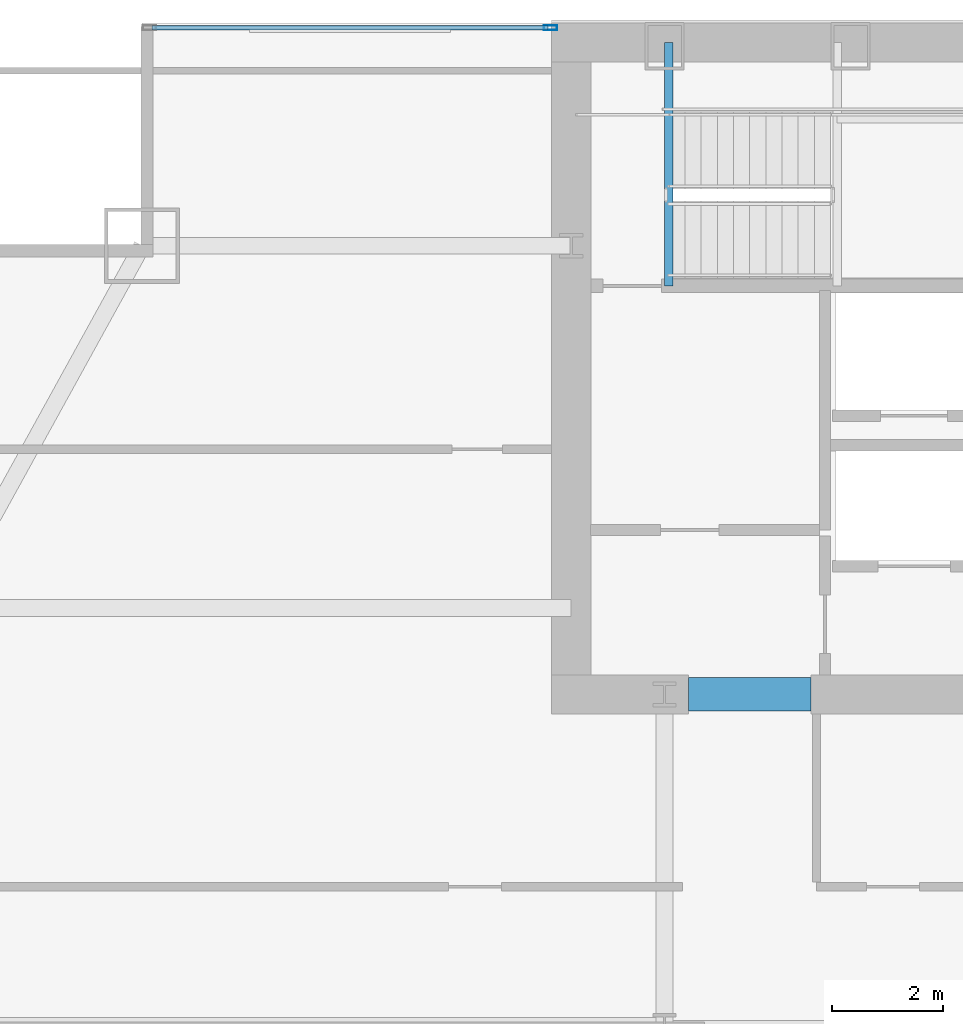
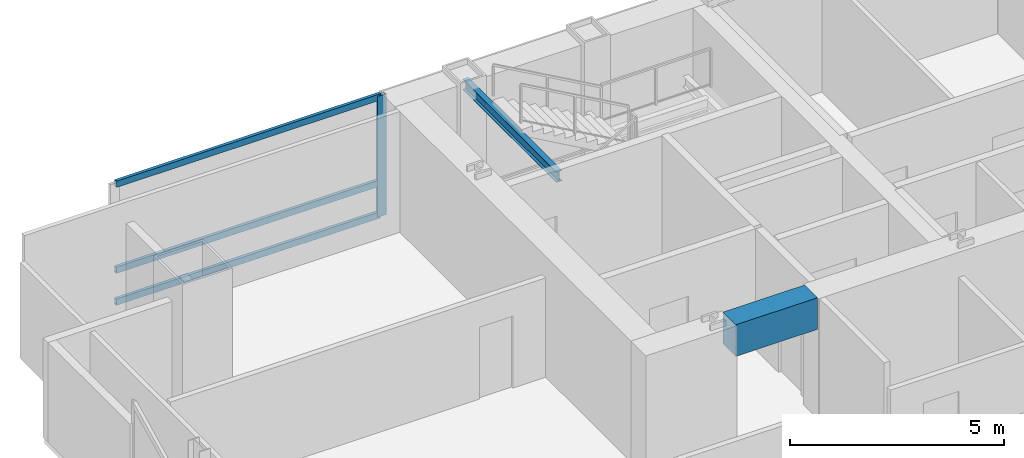
# One storey, part 18 of 29: 4 members, 2 beams, 1 element without a shape of its own.
"""IFC4 building model written with IfcOpenShell, lengths in metres."""

from ifc_helpers import new_model, si_unit, direction, frame, origin, origin_2d, place, context, subcontext, project, spatial, rectangle, hollow_rectangle, i_section, extrude, material, material_profile, profile_set, type_object, element, aggregate, save


model = new_model("IFC4")

# Units and contexts
model_context = context("Model", 3, precision=1e-05, world=origin(), true_north=direction((0.0, 1.0)))
body_context = subcontext(model_context, "Body", "Model", "MODEL_VIEW")
ifc_project = project(units=[si_unit("LENGTHUNIT", "METRE"), si_unit("AREAUNIT", "SQUARE_METRE"), si_unit("VOLUMEUNIT", "CUBIC_METRE"), si_unit("PLANEANGLEUNIT", "RADIAN"), si_unit("MASSUNIT", "GRAM", prefix="KILO")], contexts=[model_context])

# Site, building, storey
site_placement = place(None, origin())
site = spatial("IfcSite", under=ifc_project, at=site_placement, CompositionType="ELEMENT")
building_placement = place(site_placement, origin())
building = spatial("IfcBuilding", under=site, at=building_placement, Name="Khoronbel Lancet Exchange", CompositionType="ELEMENT")
storey_placement = place(building_placement, frame((0.0, 0.0, 161.39990234375)))
storey = spatial("IfcBuildingStorey", under=building, at=storey_placement, Name="L40", CompositionType="ELEMENT", Elevation=161.39990234375)

# Beams
ifc_material_1 = material(Name="Steel S355", Category="steel")
ifc_material_profile_1 = material_profile(ifc_material_1, i_section(OverallWidth=0.14990234375, OverallDepth=0.300048828125, WebThickness=0.007080078125, FlangeThickness=0.0107421875, at=origin_2d()), Name="IPE 300")
ifc_profile_set_1 = profile_set([ifc_material_profile_1], Name="Steel S355")
beam_type_1 = type_object("IfcBeamType", Name="BM-BJ8", PredefinedType="JOIST", material=ifc_profile_set_1)
beam_1_placement = place(storey_placement, frame((18.300048828125, 48.97998046875, 3.16015625), z_axis=(0.0, 1.0, 0.0), x_axis=(-1.0, 0.0, 0.0)))
element("IfcBeam", 1, at=beam_1_placement, inside=storey, type_object=beam_type_1, Name="Level L40 stair ST1 upper-flight arrival trimmer beam", PredefinedType="JOIST", context=body_context, shape_type="SweptSolid", body=[
    extrude(i_section(OverallWidth=0.14990234375, OverallDepth=0.300048828125, WebThickness=0.007080078125, FlangeThickness=0.0107421875, at=origin_2d()), origin(), (0.0, 0.0, 1.0), 4.3701171875),
])
ifc_material_2 = material(Name="Concrete C80/95", Category="concrete")
ifc_material_profile_2 = material_profile(ifc_material_2, rectangle(XDim=0.60009765625, YDim=0.89990234375, at=origin_2d()), Name="RC 600x900")
ifc_profile_set_2 = profile_set([ifc_material_profile_2], Name="Concrete C80/95")
beam_type_2 = type_object("IfcBeamType", Name="BM-BL1", PredefinedType="LINTEL", material=ifc_profile_set_2)
beam_2_placement = place(storey_placement, frame((18.64990234375, 41.64990234375, 2.989990234375), z_axis=(1.0, 0.0, 0.0), x_axis=(0.0, 1.0, 0.0)))
element("IfcBeam", 2, at=beam_2_placement, inside=storey, type_object=beam_type_2, Name="Level L40 rear core coupling lintel L1", PredefinedType="LINTEL", context=body_context, shape_type="SweptSolid", body=[
    extrude(rectangle(XDim=0.60009765625, YDim=0.89990234375, at=origin_2d()), origin(), (0.0, 0.0, 1.0), 2.2001953125),
])

# Curtain wall, members
ifc_material_3 = material(Name="Low-E Solar Control Insulating Glass", Category="glass")
curtain_wall_type = type_object("IfcCurtainWallType", Name="CW-3", PredefinedType="NOTDEFINED", material=ifc_material_3)
curtain_wall_placement = place(storey_placement, origin())
curtain_wall = element("IfcCurtainWall", 3, at=curtain_wall_placement, inside=storey, type_object=curtain_wall_type, Name="Unitised curtain wall CW-L40-NWFLK", PredefinedType="NOTDEFINED")
ifc_material_4 = material(Name="Bronze-Anodised Aluminium 6063-T6", Category="aluminium")
ifc_material_profile_3 = material_profile(ifc_material_4, hollow_rectangle(XDim=0.0849609375, YDim=0.239990234375, WallThickness=0.006103515625, at=origin_2d()), Name="ALU MULLION 85x240")
ifc_profile_set_3 = profile_set([ifc_material_profile_3], Name="Bronze-Anodised Aluminium 6063-T6")
member_type_1 = type_object("IfcMemberType", Name="MEM-CWM1", PredefinedType="MULLION", material=ifc_profile_set_3)
member_1_placement = place(storey_placement, frame((16.177490234375, 53.610107421875, 0.0), z_axis=(0.0, 0.0, 1.0), x_axis=(0.0, -1.0, 0.0)))
member_1 = element("IfcMember", 4, at=member_1_placement, type_object=member_type_1, Name="CW3 mullion 1", PredefinedType="MULLION", context=body_context, shape_type="SweptSolid", body=[
    extrude(hollow_rectangle(XDim=0.0849609375, YDim=0.239990234375, WallThickness=0.006103515625, at=origin_2d()), origin(), (0.0, 0.0, 1.0), 3.440185546875),
])
ifc_material_profile_4 = material_profile(ifc_material_4, hollow_rectangle(XDim=0.0849609375, YDim=0.179931640625, WallThickness=0.0048828125, at=origin_2d()), Name="ALU TRANSOM 85x180")
ifc_profile_set_4 = profile_set([ifc_material_profile_4], Name="Bronze-Anodised Aluminium 6063-T6")
member_type_2 = type_object("IfcMemberType", Name="MEM-CWT1", PredefinedType="USERDEFINED", material=ifc_profile_set_4)
member_2_placement = place(storey_placement, frame((16.135009765625, 53.610107421875, 0.04248046875), z_axis=(-1.0, 0.0, 0.0), x_axis=(0.0, -1.0, 0.0)))
member_2 = element("IfcMember", 5, at=member_2_placement, type_object=member_type_2, Name="CW3 transom 1.1", ObjectType="TRANSOM", PredefinedType="USERDEFINED", context=body_context, shape_type="SweptSolid", body=[
    extrude(hollow_rectangle(XDim=0.0849609375, YDim=0.179931640625, WallThickness=0.0048828125, at=origin_2d()), origin(), (0.0, 0.0, 1.0), 7.110107421875),
])
member_3_placement = place(storey_placement, frame((16.135009765625, 53.610107421875, 0.9501953125), z_axis=(-1.0, 0.0, 0.0), x_axis=(0.0, -1.0, 0.0)))
member_3 = element("IfcMember", 6, at=member_3_placement, type_object=member_type_2, Name="CW3 transom 1.2", ObjectType="TRANSOM", PredefinedType="USERDEFINED", context=body_context, shape_type="SweptSolid", body=[
    extrude(hollow_rectangle(XDim=0.0849609375, YDim=0.179931640625, WallThickness=0.0048828125, at=origin_2d()), origin(), (0.0, 0.0, 1.0), 7.110107421875),
])
member_4_placement = place(storey_placement, frame((16.135009765625, 53.610107421875, 3.397705078125), z_axis=(-1.0, 0.0, 0.0), x_axis=(0.0, -1.0, 0.0)))
member_4 = element("IfcMember", 7, at=member_4_placement, type_object=member_type_2, Name="CW3 transom 1.3", ObjectType="TRANSOM", PredefinedType="USERDEFINED", context=body_context, shape_type="SweptSolid", body=[
    extrude(hollow_rectangle(XDim=0.0849609375, YDim=0.179931640625, WallThickness=0.0048828125, at=origin_2d()), origin(), (0.0, 0.0, 1.0), 7.110107421875),
])
aggregate(curtain_wall, [member_1, member_2, member_3, member_4])

save(model, "model.ifc")
